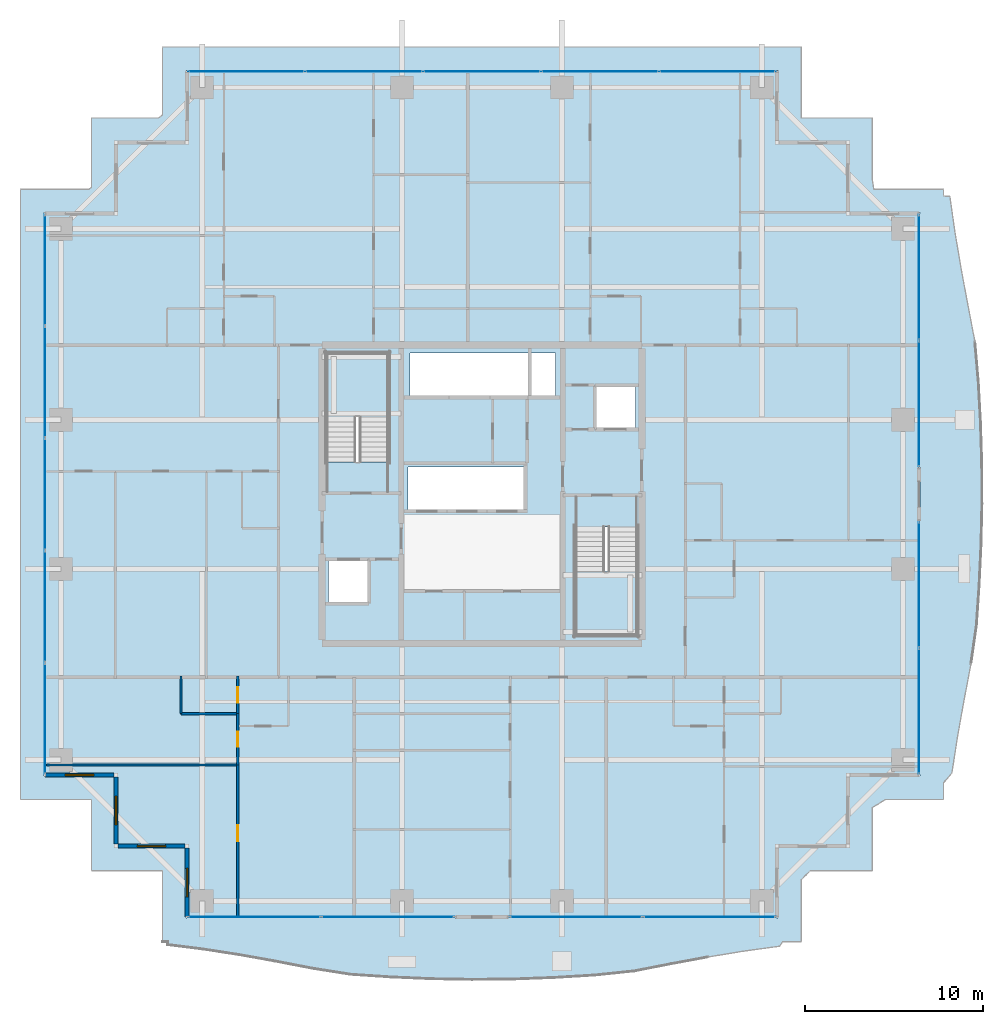
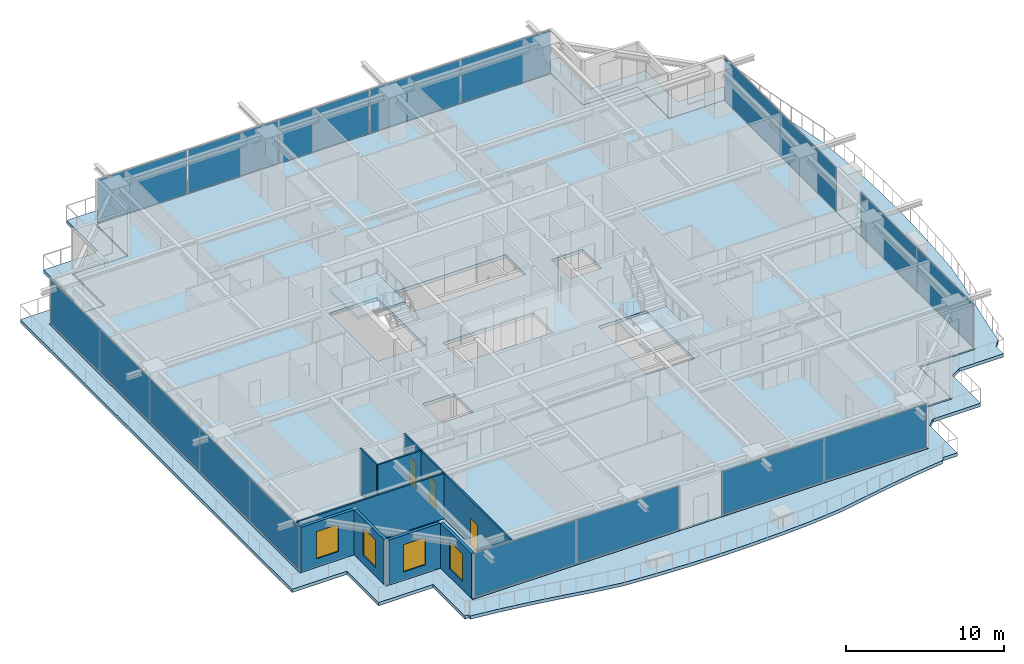
# One storey, part 26 of 37: 18 plates, 10 walls, 4 slabs, 4 windows, 3 doors, 7 openings, 8 elements without a shape of their own.
"""IFC4 building model written with IfcOpenShell, lengths in metres."""

from ifc_helpers import new_model, si_unit, direction, frame, frame_2d, origin, origin_2d, place, context, subcontext, project, spatial, polyline, rectangle, outline, extrude, source, transform, mapped, material, layer, layer_set, type_object, element, fill, aggregate, save


model = new_model("IFC4")

# Units and contexts
model_context = context("Model", 3, precision=1e-05, world=origin(), true_north=direction((0.0, 1.0)))
body_context = subcontext(model_context, "Body", "Model", "MODEL_VIEW")
ifc_project = project(units=[si_unit("LENGTHUNIT", "METRE"), si_unit("AREAUNIT", "SQUARE_METRE"), si_unit("VOLUMEUNIT", "CUBIC_METRE"), si_unit("PLANEANGLEUNIT", "RADIAN"), si_unit("MASSUNIT", "GRAM", prefix="KILO")], contexts=[model_context])

# Site, building, storey
site_placement = place(None, origin())
site = spatial("IfcSite", under=ifc_project, at=site_placement, CompositionType="ELEMENT")
building_placement = place(site_placement, origin())
building = spatial("IfcBuilding", under=site, at=building_placement, Name="Serunith Strait Residences", CompositionType="ELEMENT")
storey_placement = place(building_placement, frame((0.0, 0.0, 161.39990234375)))
storey = spatial("IfcBuildingStorey", under=building, at=storey_placement, Name="L40", CompositionType="ELEMENT", Elevation=161.39990234375)

# Slab
ifc_material_1 = material(Name="Concrete C50/60", Category="concrete")
ifc_layer_1 = layer(ifc_material_1, 0.239990234375, Name="Concrete C50/60")
ifc_layer_set_1 = layer_set([ifc_layer_1], Name="Concrete C50/60")
slab_type_1 = type_object("IfcSlabType", Name="SLB-BALC-240", PredefinedType="FLOOR", material=ifc_layer_set_1)
slab_1_placement = place(storey_placement, frame((0.0, 0.0, -0.289794921875)))
element("IfcSlab", 1, at=slab_1_placement, inside=storey, type_object=slab_type_1, Name="L40 Planted Vertical-Forest Balcony Slab", PredefinedType="FLOOR", context=body_context, shape_type="SweptSolid", body=[
    extrude(outline(polyline([(14.419921875, 0.02001953125), (14.419921875, 4.02001953125), (10.419921875, 4.02001953125), (10.419921875, 8.02001953125), (6.419921875, 8.02001953125), (6.419921875, 42.3798828125), (10.284912109375, 42.3798828125), (10.419921875, 42.47802734375), (10.419921875, 46.3798828125), (14.1982421875, 46.3798828125), (14.419921875, 46.55908203125), (14.419921875, 50.3798828125), (50.3798828125, 50.3798828125), (50.3798828125, 46.3798828125), (54.3798828125, 46.3798828125), (54.3798828125, 42.889892578125), (54.45654296875, 42.3798828125), (58.3798828125, 42.3798828125), (58.3798828125, 41.99365234375), (58.737548828125, 41.973388671875), (59.022705078125, 39.972412109375), (59.362548828125, 37.95068359375), (59.747314453125, 35.890625), (60.152587890625, 33.77392578125), (60.347900390625, 31.543212890625), (60.471923828125, 29.27001953125), (60.54248046875, 26.97314453125), (60.552734375, 24.666015625), (60.501708984375, 22.36328125), (60.394287109375, 20.0791015625), (60.240966796875, 17.82470703125), (59.9267578125, 15.6513671875), (59.527587890625, 13.56591796875), (59.164306640625, 11.527587890625), (58.853271484375, 9.51806640625), (58.3798828125, 8.964111328125), (58.3798828125, 8.02001953125), (55.121826171875, 8.02001953125), (54.3798828125, 7.57666015625), (54.3798828125, 4.02001953125), (50.898193359375, 4.02001953125), (50.3798828125, 3.523681640625), (50.3798828125, 0.02001953125), (49.331787109375, 0.02001953125), (49.1455078125, -0.239013671875), (47.146484375, -0.511962890625), (45.1298828125, -0.843505859375), (43.07763671875, -1.225830078125), (40.9697265625, -1.63720703125), (38.75048828125, -1.869873046875), (36.477294921875, -2.007080078125), (34.177490234375, -2.092041015625), (31.864501953125, -2.11572265625), (29.553955078125, -2.075927734375), (27.26171875, -1.976318359375), (24.999755859375, -1.826904296875), (22.8330078125, -1.4833984375), (20.75048828125, -1.080322265625), (18.7158203125, -0.716552734375), (16.708984375, -0.407958984375), (14.713623046875, -0.157470703125), (14.715087890625, 0.02001953125), (14.419921875, 0.02001953125)]), holes=[polyline([(49.054931640625, 1.344970703125), (49.054931640625, 5.344970703125), (53.054931640625, 5.344970703125), (53.054931640625, 9.344970703125), (57.054931640625, 9.344970703125), (57.054931640625, 41.054931640625), (53.054931640625, 41.054931640625), (53.054931640625, 45.054931640625), (49.054931640625, 45.054931640625), (49.054931640625, 49.054931640625), (15.7451171875, 49.054931640625), (15.7451171875, 45.054931640625), (11.7451171875, 45.054931640625), (11.7451171875, 41.054931640625), (7.7451171875, 41.054931640625), (7.7451171875, 9.344970703125), (11.7451171875, 9.344970703125), (11.7451171875, 5.344970703125), (15.7451171875, 5.344970703125), (15.7451171875, 1.344970703125), (49.054931640625, 1.344970703125)])]), origin(), (0.0, 0.0, 1.0), 0.239990234375),
])

# Stair, slab
stair_type_1 = type_object("IfcStairType", Name="STR-CORE-1", PredefinedType="HALF_TURN_STAIR", material=ifc_material_1)
stair_1_placement = place(storey_placement, origin())
stair_1 = element("IfcStair", 2, at=stair_1_placement, inside=storey, type_object=stair_type_1, Name="L40 Protected Escape Stair ST-1", PredefinedType="HALF_TURN_STAIR")
ifc_layer_2 = layer(ifc_material_1, 0.199951171875, Name="Concrete C50/60")
ifc_layer_set_2 = layer_set([ifc_layer_2], Name="Concrete C50/60")
slab_type_2 = type_object("IfcSlabType", Name="SLB-LAND-200", PredefinedType="LANDING", material=ifc_layer_set_2)
slab_2_placement = place(storey_placement, frame((0.0, 0.0, 1.675048828125)))
slab_2 = element("IfcSlab", 3, at=slab_2_placement, type_object=slab_type_2, Name="ST-1 landing 1", PredefinedType="LANDING", context=body_context, shape_type="SweptSolid", body=[
    extrude(outline(polyline([(27.14990234375, 29.550048828125), (27.14990234375, 33.14990234375), (23.64990234375, 33.14990234375), (23.64990234375, 29.550048828125), (27.14990234375, 29.550048828125)])), origin(), (0.0, 0.0, 1.0), 0.199951171875),
])
aggregate(stair_1, [slab_2])

stair_type_2 = type_object("IfcStairType", Name="STR-CORE-2", PredefinedType="HALF_TURN_STAIR", material=ifc_material_1)
stair_2_placement = place(storey_placement, origin())
stair_2 = element("IfcStair", 4, at=stair_2_placement, inside=storey, type_object=stair_type_2, Name="L40 Protected Escape Stair ST-2", PredefinedType="HALF_TURN_STAIR")
slab_3_placement = place(storey_placement, frame((0.0, 0.0, 1.675048828125)))
slab_3 = element("IfcSlab", 5, at=slab_3_placement, type_object=slab_type_2, Name="ST-2 landing 1", PredefinedType="LANDING", context=body_context, shape_type="SweptSolid", body=[
    extrude(outline(polyline([(37.64990234375, 20.85009765625), (37.64990234375, 17.25), (41.14990234375, 17.25), (41.14990234375, 20.85009765625), (37.64990234375, 20.85009765625)])), origin(), (0.0, 0.0, 1.0), 0.199951171875),
])
aggregate(stair_2, [slab_3])

# Slab
ifc_material_2 = material(Name="Concrete C60/75", Category="concrete")
ifc_layer_3 = layer(ifc_material_2, 0.260009765625, Name="Concrete C60/75")
ifc_layer_set_3 = layer_set([ifc_layer_3], Name="Concrete C60/75")
slab_type_3 = type_object("IfcSlabType", Name="SLB-TWR-260-Z2", PredefinedType="FLOOR", material=ifc_layer_set_3)
slab_4_placement = place(storey_placement, frame((0.0, 0.0, -0.260009765625)))
element("IfcSlab", 6, at=slab_4_placement, inside=storey, type_object=slab_type_3, Name="L40 Structural Floor Plate", PredefinedType="FLOOR", context=body_context, shape_type="SweptSolid", body=[
    extrude(outline(polyline([(15.800048828125, 5.39990234375), (11.800048828125, 5.39990234375), (11.800048828125, 9.39990234375), (7.800048828125, 9.39990234375), (7.800048828125, 41.0), (11.800048828125, 41.0), (11.800048828125, 45.0), (15.800048828125, 45.0), (15.800048828125, 49.0), (49.0, 49.0), (49.0, 45.0), (53.0, 45.0), (53.0, 41.0), (57.0, 41.0), (57.0, 9.39990234375), (53.0, 9.39990234375), (53.0, 5.39990234375), (49.0, 5.39990234375), (49.0, 1.39990234375), (15.800048828125, 1.39990234375), (15.800048828125, 5.39990234375)]), holes=[polyline([(41.14990234375, 23.3701171875), (37.64990234375, 23.3701171875), (37.64990234375, 17.25), (41.14990234375, 17.25), (41.14990234375, 23.3701171875)]), polyline([(38.75, 31.25), (38.75, 28.85009765625), (41.050048828125, 28.85009765625), (41.050048828125, 31.25), (38.75, 31.25)]), polyline([(36.550048828125, 33.14990234375), (28.35009765625, 33.14990234375), (28.35009765625, 30.64990234375), (36.550048828125, 30.64990234375), (36.550048828125, 33.14990234375)]), polyline([(34.85009765625, 26.75), (28.25, 26.75), (28.25, 24.25), (34.85009765625, 24.25), (34.85009765625, 26.75)]), polyline([(23.64990234375, 33.14990234375), (23.64990234375, 27.030029296875), (27.14990234375, 27.030029296875), (27.14990234375, 33.14990234375), (23.64990234375, 33.14990234375)]), polyline([(26.050048828125, 21.550048828125), (23.75, 21.550048828125), (23.75, 19.14990234375), (26.050048828125, 19.14990234375), (26.050048828125, 21.550048828125)])]), origin(), (0.0, 0.0, 1.0), 0.260009765625),
])

# Curtain wall, plates
ifc_material_3 = material(Name="Pale-Champagne Anodised Aluminium", Category="aluminium")
ifc_layer_4 = layer(ifc_material_3, 0.199951171875, Name="Pale-Champagne Anodised Aluminium")
ifc_layer_set_4 = layer_set([ifc_layer_4], Name="Pale-Champagne Anodised Aluminium")
curtain_wall_type = type_object("IfcCurtainWallType", Name="CW-SYS2", PredefinedType="NOTDEFINED", material=ifc_layer_set_4)
curtain_wall_1_placement = place(storey_placement, origin())
curtain_wall_1 = element("IfcCurtainWall", 7, at=curtain_wall_1_placement, inside=storey, type_object=curtain_wall_type, Name="L40 N Unitised Fritted Curtain Wall", PredefinedType="NOTDEFINED")
ifc_material_4 = material(Name="Diagonal-Frit Operable Low-E Glazing 30mm", Category="glass")
ifc_layer_5 = layer(ifc_material_4, 0.030029296875, Name="Diagonal-Frit Operable Low-E Glazing 30mm")
ifc_layer_set_5 = layer_set([ifc_layer_5], Name="Diagonal-Frit Operable Low-E Glazing 30mm")
plate_type = type_object("IfcPlateType", Name="CW-SYS2-PNL", PredefinedType="CURTAIN_PANEL", material=ifc_layer_set_5)
shared_shape_1 = source(origin(), body_context, "Body", "SweptSolid", [
    extrude(rectangle(XDim=6.534912109375, YDim=0.030029296875, at=origin_2d()), origin(), (0.0, 0.0, 1.0), 3.35498046875),
])
plate_1_placement = place(storey_placement, frame((45.66259765625, 49.0, 0.06005859375), z_axis=(0.0, 0.0, 1.0), x_axis=(-1.0, 0.0, 0.0)))
plate_1 = element("IfcPlate", 8, at=plate_1_placement, type_object=plate_type, Name="CW-2 panel 1.1", PredefinedType="CURTAIN_PANEL", context=body_context, shape_type="MappedRepresentation", body=[
    mapped(shared_shape_1, transform((0.0, 0.0, 0.0), scale=1.0)),
])
plate_2_placement = place(storey_placement, frame((19.137451171875, 49.0, 0.06005859375), z_axis=(0.0, 0.0, 1.0), x_axis=(-1.0, 0.0, 0.0)))
plate_2 = element("IfcPlate", 9, at=plate_2_placement, type_object=plate_type, Name="CW-2 panel 5.1", PredefinedType="CURTAIN_PANEL", context=body_context, shape_type="MappedRepresentation", body=[
    mapped(shared_shape_1, transform((0.0, 0.0, 0.0), scale=1.0)),
])
shared_shape_2 = source(origin(), body_context, "Body", "SweptSolid", [
    extrude(rectangle(XDim=6.570068359375, YDim=0.030029296875, at=origin_2d()), origin(), (0.0, 0.0, 1.0), 3.35498046875),
])
plate_3_placement = place(storey_placement, frame((39.0400390625, 49.0, 0.06005859375), z_axis=(0.0, 0.0, 1.0), x_axis=(-1.0, 0.0, 0.0)))
plate_3 = element("IfcPlate", 10, at=plate_3_placement, type_object=plate_type, Name="CW-2 panel 2.1", PredefinedType="CURTAIN_PANEL", context=body_context, shape_type="MappedRepresentation", body=[
    mapped(shared_shape_2, transform((0.0, 0.0, 0.0), scale=1.0)),
])
plate_4_placement = place(storey_placement, frame((32.39990234375, 49.0, 0.06005859375), z_axis=(0.0, 0.0, 1.0), x_axis=(-1.0, 0.0, 0.0)))
plate_4 = element("IfcPlate", 11, at=plate_4_placement, type_object=plate_type, Name="CW-2 panel 3.1", PredefinedType="CURTAIN_PANEL", context=body_context, shape_type="MappedRepresentation", body=[
    mapped(shared_shape_2, transform((0.0, 0.0, 0.0), scale=1.0)),
])
plate_5_placement = place(storey_placement, frame((25.760009765625, 49.0, 0.06005859375), z_axis=(0.0, 0.0, 1.0), x_axis=(-1.0, 0.0, 0.0)))
plate_5 = element("IfcPlate", 12, at=plate_5_placement, type_object=plate_type, Name="CW-2 panel 4.1", PredefinedType="CURTAIN_PANEL", context=body_context, shape_type="MappedRepresentation", body=[
    mapped(shared_shape_2, transform((0.0, 0.0, 0.0), scale=1.0)),
])
aggregate(curtain_wall_1, [plate_1, plate_3, plate_4, plate_5, plate_2])

curtain_wall_2_placement = place(storey_placement, origin())
curtain_wall_2 = element("IfcCurtainWall", 13, at=curtain_wall_2_placement, inside=storey, type_object=curtain_wall_type, Name="L40 W Unitised Fritted Curtain Wall", PredefinedType="NOTDEFINED")
shared_shape_3 = source(origin(), body_context, "Body", "SweptSolid", [
    extrude(rectangle(XDim=6.215087890625, YDim=0.030029296875, at=origin_2d()), origin(), (0.0, 0.0, 1.0), 3.35498046875),
])
plate_6_placement = place(storey_placement, frame((7.800048828125, 37.822509765625, 0.06005859375), z_axis=(0.0, 0.0, 1.0), x_axis=(0.0, -1.0, 0.0)))
plate_6 = element("IfcPlate", 14, at=plate_6_placement, type_object=plate_type, Name="CW-2 panel 1.1", PredefinedType="CURTAIN_PANEL", context=body_context, shape_type="MappedRepresentation", body=[
    mapped(shared_shape_3, transform((0.0, 0.0, 0.0), scale=1.0)),
])
plate_7_placement = place(storey_placement, frame((7.800048828125, 12.577392578125, 0.06005859375), z_axis=(0.0, 0.0, 1.0), x_axis=(0.0, -1.0, 0.0)))
plate_7 = element("IfcPlate", 15, at=plate_7_placement, type_object=plate_type, Name="CW-2 panel 5.1", PredefinedType="CURTAIN_PANEL", context=body_context, shape_type="MappedRepresentation", body=[
    mapped(shared_shape_3, transform((0.0, 0.0, 0.0), scale=1.0)),
])
shared_shape_4 = source(origin(), body_context, "Body", "SweptSolid", [
    extrude(rectangle(XDim=6.25, YDim=0.030029296875, at=origin_2d()), origin(), (0.0, 0.0, 1.0), 3.35498046875),
])
plate_8_placement = place(storey_placement, frame((7.800048828125, 31.52001953125, 0.06005859375), z_axis=(0.0, 0.0, 1.0), x_axis=(0.0, -1.0, 0.0)))
plate_8 = element("IfcPlate", 16, at=plate_8_placement, type_object=plate_type, Name="CW-2 panel 2.1", PredefinedType="CURTAIN_PANEL", context=body_context, shape_type="MappedRepresentation", body=[
    mapped(shared_shape_4, transform((0.0, 0.0, 0.0), scale=1.0)),
])
plate_9_placement = place(storey_placement, frame((7.800048828125, 25.199951171875, 0.06005859375), z_axis=(0.0, 0.0, 1.0), x_axis=(0.0, -1.0, 0.0)))
plate_9 = element("IfcPlate", 17, at=plate_9_placement, type_object=plate_type, Name="CW-2 panel 3.1", PredefinedType="CURTAIN_PANEL", context=body_context, shape_type="MappedRepresentation", body=[
    mapped(shared_shape_4, transform((0.0, 0.0, 0.0), scale=1.0)),
])
plate_10_placement = place(storey_placement, frame((7.800048828125, 18.8798828125, 0.06005859375), z_axis=(0.0, 0.0, 1.0), x_axis=(0.0, -1.0, 0.0)))
plate_10 = element("IfcPlate", 18, at=plate_10_placement, type_object=plate_type, Name="CW-2 panel 4.1", PredefinedType="CURTAIN_PANEL", context=body_context, shape_type="MappedRepresentation", body=[
    mapped(shared_shape_4, transform((0.0, 0.0, 0.0), scale=1.0)),
])
aggregate(curtain_wall_2, [plate_6, plate_8, plate_9, plate_10, plate_7])

curtain_wall_3_placement = place(storey_placement, origin())
curtain_wall_3 = element("IfcCurtainWall", 19, at=curtain_wall_3_placement, inside=storey, type_object=curtain_wall_type, Name="L40 S Unitised Fritted Curtain Wall", PredefinedType="NOTDEFINED")
shared_shape_5 = source(origin(), body_context, "Body", "SweptSolid", [
    extrude(rectangle(XDim=7.445068359375, YDim=0.030029296875, at=origin_2d()), origin(), (0.0, 0.0, 1.0), 3.35498046875),
])
plate_11_placement = place(storey_placement, frame((19.592529296875, 1.39990234375, 0.06005859375), z_axis=(0.0, 0.0, 1.0), x_axis=(1.0, 0.0, 0.0)))
plate_11 = element("IfcPlate", 20, at=plate_11_placement, type_object=plate_type, Name="CW-2 panel 1.1", PredefinedType="CURTAIN_PANEL", context=body_context, shape_type="MappedRepresentation", body=[
    mapped(shared_shape_5, transform((0.0, 0.0, 0.0), scale=1.0)),
])
plate_12_placement = place(storey_placement, frame((27.107421875, 1.39990234375, 0.06005859375), z_axis=(0.0, 0.0, 1.0), x_axis=(1.0, 0.0, 0.0)))
plate_12 = element("IfcPlate", 21, at=plate_12_placement, type_object=plate_type, Name="CW-2 panel 2.1", PredefinedType="CURTAIN_PANEL", context=body_context, shape_type="MappedRepresentation", body=[
    mapped(shared_shape_5, transform((0.0, 0.0, 0.0), scale=1.0)),
])
aggregate(curtain_wall_3, [plate_11, plate_12])

curtain_wall_4_placement = place(storey_placement, origin())
curtain_wall_4 = element("IfcCurtainWall", 22, at=curtain_wall_4_placement, inside=storey, type_object=curtain_wall_type, Name="L40 S Unitised Fritted Curtain Wall", PredefinedType="NOTDEFINED")
plate_13_placement = place(storey_placement, frame((37.6923828125, 1.39990234375, 0.06005859375), z_axis=(0.0, 0.0, 1.0), x_axis=(1.0, 0.0, 0.0)))
plate_13 = element("IfcPlate", 23, at=plate_13_placement, type_object=plate_type, Name="CW-2 panel 1.1", PredefinedType="CURTAIN_PANEL", context=body_context, shape_type="MappedRepresentation", body=[
    mapped(shared_shape_5, transform((0.0, 0.0, 0.0), scale=1.0)),
])
plate_14_placement = place(storey_placement, frame((45.20751953125, 1.39990234375, 0.06005859375), z_axis=(0.0, 0.0, 1.0), x_axis=(1.0, 0.0, 0.0)))
plate_14 = element("IfcPlate", 24, at=plate_14_placement, type_object=plate_type, Name="CW-2 panel 2.1", PredefinedType="CURTAIN_PANEL", context=body_context, shape_type="MappedRepresentation", body=[
    mapped(shared_shape_5, transform((0.0, 0.0, 0.0), scale=1.0)),
])
aggregate(curtain_wall_4, [plate_13, plate_14])

curtain_wall_5_placement = place(storey_placement, origin())
curtain_wall_5 = element("IfcCurtainWall", 25, at=curtain_wall_5_placement, inside=storey, type_object=curtain_wall_type, Name="L40 E Unitised Fritted Curtain Wall", PredefinedType="NOTDEFINED")
shared_shape_6 = source(origin(), body_context, "Body", "SweptSolid", [
    extrude(rectangle(XDim=7.044921875, YDim=0.030029296875, at=origin_2d()), origin(), (0.0, 0.0, 1.0), 3.35498046875),
])
plate_15_placement = place(storey_placement, frame((57.0, 12.992431640625, 0.06005859375), z_axis=(0.0, 0.0, 1.0), x_axis=(0.0, 1.0, 0.0)))
plate_15 = element("IfcPlate", 26, at=plate_15_placement, type_object=plate_type, Name="CW-2 panel 1.1", PredefinedType="CURTAIN_PANEL", context=body_context, shape_type="MappedRepresentation", body=[
    mapped(shared_shape_6, transform((0.0, 0.0, 0.0), scale=1.0)),
])
plate_16_placement = place(storey_placement, frame((57.0, 20.107421875, 0.06005859375), z_axis=(0.0, 0.0, 1.0), x_axis=(0.0, 1.0, 0.0)))
plate_16 = element("IfcPlate", 27, at=plate_16_placement, type_object=plate_type, Name="CW-2 panel 2.1", PredefinedType="CURTAIN_PANEL", context=body_context, shape_type="MappedRepresentation", body=[
    mapped(shared_shape_6, transform((0.0, 0.0, 0.0), scale=1.0)),
])
aggregate(curtain_wall_5, [plate_15, plate_16])

curtain_wall_6_placement = place(storey_placement, origin())
curtain_wall_6 = element("IfcCurtainWall", 28, at=curtain_wall_6_placement, inside=storey, type_object=curtain_wall_type, Name="L40 E Unitised Fritted Curtain Wall", PredefinedType="NOTDEFINED")
plate_17_placement = place(storey_placement, frame((57.0, 30.29248046875, 0.06005859375), z_axis=(0.0, 0.0, 1.0), x_axis=(0.0, 1.0, 0.0)))
plate_17 = element("IfcPlate", 29, at=plate_17_placement, type_object=plate_type, Name="CW-2 panel 1.1", PredefinedType="CURTAIN_PANEL", context=body_context, shape_type="MappedRepresentation", body=[
    mapped(shared_shape_6, transform((0.0, 0.0, 0.0), scale=1.0)),
])
plate_18_placement = place(storey_placement, frame((57.0, 37.407470703125, 0.06005859375), z_axis=(0.0, 0.0, 1.0), x_axis=(0.0, 1.0, 0.0)))
plate_18 = element("IfcPlate", 30, at=plate_18_placement, type_object=plate_type, Name="CW-2 panel 2.1", PredefinedType="CURTAIN_PANEL", context=body_context, shape_type="MappedRepresentation", body=[
    mapped(shared_shape_6, transform((0.0, 0.0, 0.0), scale=1.0)),
])
aggregate(curtain_wall_6, [plate_17, plate_18])

# Wall, opening, window
ifc_material_5 = material(Name="Pale-Champagne Aluminium Insulated Panel", Category="aluminium")
ifc_layer_6 = layer(ifc_material_5, 0.219970703125, Name="Pale-Champagne Aluminium Insulated Panel")
ifc_layer_set_6 = layer_set([ifc_layer_6], Name="Pale-Champagne Aluminium Insulated Panel")
wall_type_1 = type_object("IfcWallType", Name="EW-ALUM-220", PredefinedType="ELEMENTEDWALL", material=ifc_layer_set_6)
wall_1_placement = place(storey_placement, frame((7.800048828125, 9.39990234375, 0.0), z_axis=(0.0, 0.0, 1.0), x_axis=(1.0, 0.0, 0.0)))
wall_1 = element("IfcWall", 31, at=wall_1_placement, inside=storey, type_object=wall_type_1, Name="L40 Girih Serrated Corner Wall 17", PredefinedType="ELEMENTEDWALL", context=body_context, shape_type="SweptSolid", body=[
    extrude(rectangle(XDim=3.889892578125, YDim=0.219970703125, at=frame_2d((1.94482421875, 0.0))), origin(), (0.0, 0.0, 1.0), 3.47509765625),
])
opening_1_placement = place(wall_1_placement, frame((1.14501953125, 0.0, 0.64990234375)))
opening_1 = element("IfcOpeningElement", 32, at=opening_1_placement, cuts=wall_1, Name="Opening W-02", PredefinedType="OPENING", context=body_context, shape_type="SweptSolid", body=[
    extrude(rectangle(XDim=1.60009765625, YDim=2.10009765625, at=frame_2d((0.800048828125, 1.050048828125))), frame((0.0, 0.1201171875, 0.0), z_axis=(0.0, -1.0, 0.0), x_axis=(1.0, 0.0, 0.0)), (0.0, 0.0, 1.0), 0.239990234375),
])
ifc_material_6 = material(Name="Ceramic-Fritted Operable Aluminium Window Glass", Category="aluminium")
window_type = type_object("IfcWindowType", Name="WIN-C2", PartitioningType="DOUBLE_PANEL_VERTICAL", PredefinedType="WINDOW", material=ifc_material_6)
shared_shape_7 = source(origin(), body_context, "Body", "SweptSolid", [
    extrude(rectangle(XDim=1.60009765625, YDim=2.10009765625, at=frame_2d((0.800048828125, 1.050048828125))), frame((0.0, 0.030029296875, 0.0), z_axis=(0.0, -1.0, 0.0), x_axis=(1.0, 0.0, 0.0)), (0.0, 0.0, 1.0), 0.06005859375),
])
window_1_placement = place(opening_1_placement, origin())
window_1 = element("IfcWindow", 33, at=window_1_placement, inside=storey, type_object=window_type, Name="L40 Corner Operable Fritted Window 17", OverallHeight=2.10009765625, OverallWidth=1.60009765625, PartitioningType="SINGLE_PANEL", PredefinedType="WINDOW", context=body_context, shape_type="MappedRepresentation", body=[
    mapped(shared_shape_7, transform((0.0, 0.0, 0.0), scale=1.0)),
])
fill(opening_1, window_1)

wall_2_placement = place(storey_placement, frame((11.800048828125, 9.2900390625, 0.0), z_axis=(0.0, 0.0, 1.0), x_axis=(0.0, -1.0, 0.0)))
wall_2 = element("IfcWall", 34, at=wall_2_placement, inside=storey, type_object=wall_type_1, Name="L40 Girih Serrated Corner Wall 18", PredefinedType="ELEMENTEDWALL", context=body_context, shape_type="SweptSolid", body=[
    extrude(rectangle(XDim=3.780029296875, YDim=0.219970703125, at=frame_2d((1.89013671875, 0.0))), origin(), (0.0, 0.0, 1.0), 3.47509765625),
])
opening_2_placement = place(wall_2_placement, frame((1.090087890625, 0.0, 0.64990234375)))
opening_2 = element("IfcOpeningElement", 35, at=opening_2_placement, cuts=wall_2, Name="Opening W-02", PredefinedType="OPENING", context=body_context, shape_type="SweptSolid", body=[
    extrude(rectangle(XDim=1.60009765625, YDim=2.10009765625, at=frame_2d((0.800048828125, 1.050048828125))), frame((0.0, 0.1201171875, 0.0), z_axis=(0.0, -1.0, 0.0), x_axis=(1.0, 0.0, 0.0)), (0.0, 0.0, 1.0), 0.239990234375),
])
window_2_placement = place(opening_2_placement, origin())
window_2 = element("IfcWindow", 36, at=window_2_placement, inside=storey, type_object=window_type, Name="L40 Corner Operable Fritted Window 18", OverallHeight=2.10009765625, OverallWidth=1.60009765625, PartitioningType="SINGLE_PANEL", PredefinedType="WINDOW", context=body_context, shape_type="MappedRepresentation", body=[
    mapped(shared_shape_7, transform((0.0, 0.0, 0.0), scale=1.0)),
])
fill(opening_2, window_2)

wall_3_placement = place(storey_placement, frame((11.909912109375, 5.39990234375, 0.0), z_axis=(0.0, 0.0, 1.0), x_axis=(1.0, 0.0, 0.0)))
wall_3 = element("IfcWall", 37, at=wall_3_placement, inside=storey, type_object=wall_type_1, Name="L40 Girih Serrated Corner Wall 19", PredefinedType="ELEMENTEDWALL", context=body_context, shape_type="SweptSolid", body=[
    extrude(rectangle(XDim=3.780029296875, YDim=0.219970703125, at=frame_2d((1.89013671875, 0.0))), origin(), (0.0, 0.0, 1.0), 3.47509765625),
])
opening_3_placement = place(wall_3_placement, frame((1.090087890625, 0.0, 0.64990234375)))
opening_3 = element("IfcOpeningElement", 38, at=opening_3_placement, cuts=wall_3, Name="Opening W-02", PredefinedType="OPENING", context=body_context, shape_type="SweptSolid", body=[
    extrude(rectangle(XDim=1.60009765625, YDim=2.10009765625, at=frame_2d((0.800048828125, 1.050048828125))), frame((0.0, 0.1201171875, 0.0), z_axis=(0.0, -1.0, 0.0), x_axis=(1.0, 0.0, 0.0)), (0.0, 0.0, 1.0), 0.239990234375),
])
window_3_placement = place(opening_3_placement, origin())
window_3 = element("IfcWindow", 39, at=window_3_placement, inside=storey, type_object=window_type, Name="L40 Corner Operable Fritted Window 19", OverallHeight=2.10009765625, OverallWidth=1.60009765625, PartitioningType="SINGLE_PANEL", PredefinedType="WINDOW", context=body_context, shape_type="MappedRepresentation", body=[
    mapped(shared_shape_7, transform((0.0, 0.0, 0.0), scale=1.0)),
])
fill(opening_3, window_3)

wall_4_placement = place(storey_placement, frame((15.800048828125, 5.2900390625, 0.0), z_axis=(0.0, 0.0, 1.0), x_axis=(0.0, -1.0, 0.0)))
wall_4 = element("IfcWall", 40, at=wall_4_placement, inside=storey, type_object=wall_type_1, Name="L40 Girih Serrated Corner Wall 20", PredefinedType="ELEMENTEDWALL", context=body_context, shape_type="SweptSolid", body=[
    extrude(rectangle(XDim=3.89013671875, YDim=0.219970703125, at=frame_2d((1.945068359375, 0.0))), origin(), (0.0, 0.0, 1.0), 3.47509765625),
])
opening_4_placement = place(wall_4_placement, frame((1.14501953125, 0.0, 0.64990234375)))
opening_4 = element("IfcOpeningElement", 41, at=opening_4_placement, cuts=wall_4, Name="Opening W-02", PredefinedType="OPENING", context=body_context, shape_type="SweptSolid", body=[
    extrude(rectangle(XDim=1.60009765625, YDim=2.10009765625, at=frame_2d((0.800048828125, 1.050048828125))), frame((0.0, 0.1201171875, 0.0), z_axis=(0.0, -1.0, 0.0), x_axis=(1.0, 0.0, 0.0)), (0.0, 0.0, 1.0), 0.239990234375),
])
window_4_placement = place(opening_4_placement, origin())
window_4 = element("IfcWindow", 42, at=window_4_placement, inside=storey, type_object=window_type, Name="L40 Corner Operable Fritted Window 20", OverallHeight=2.10009765625, OverallWidth=1.60009765625, PartitioningType="SINGLE_PANEL", PredefinedType="WINDOW", context=body_context, shape_type="MappedRepresentation", body=[
    mapped(shared_shape_7, transform((0.0, 0.0, 0.0), scale=1.0)),
])
fill(opening_4, window_4)

# Wall, opening, door
ifc_material_7 = material(Name="Lightweight steel-stud gypsum partition", Category="steel")
ifc_layer_7 = layer(ifc_material_7, 0.1201171875, Name="Lightweight steel-stud gypsum partition")
ifc_layer_set_7 = layer_set([ifc_layer_7], Name="Lightweight steel-stud gypsum partition")
wall_type_2 = type_object("IfcWallType", Name="IW-PART-120", PredefinedType="PARTITIONING", material=ifc_layer_set_7)
wall_5_placement = place(storey_placement, frame((18.64990234375, 1.4951171875, 0.0), z_axis=(0.0, 0.0, 1.0), x_axis=(0.0, 1.0, 0.0)))
wall_5 = element("IfcWall", 43, at=wall_5_placement, inside=storey, type_object=wall_type_2, Name="L40 Partition Wall 032", PredefinedType="PARTITIONING", context=body_context, shape_type="SweptSolid", body=[
    extrude(rectangle(XDim=8.468994140625, YDim=0.1201171875, at=frame_2d((4.234375, 0.0))), origin(), (0.0, 0.0, 1.0), 3.489990234375),
])
opening_5_placement = place(wall_5_placement, frame((4.1630859375, 0.0, 0.0)))
opening_5 = element("IfcOpeningElement", 44, at=opening_5_placement, cuts=wall_5, Name="Opening D-RM900", PredefinedType="OPENING", context=body_context, shape_type="SweptSolid", body=[
    extrude(rectangle(XDim=0.89990234375, YDim=2.10009765625, at=frame_2d((0.449951171875, 1.050048828125))), frame((0.0, 0.070068359375, 0.0), z_axis=(0.0, -1.0, 0.0), x_axis=(1.0, 0.0, 0.0)), (0.0, 0.0, 1.0), 0.14013671875),
])
ifc_material_8 = material(Name="Engineered timber flush bedroom door", Category="wood")
door_type_1 = type_object("IfcDoorType", Name="ID-ROOM-900", OperationType="NOTDEFINED", PredefinedType="DOOR", material=ifc_material_8)
shared_shape_8 = source(origin(), body_context, "Body", "SweptSolid", [
    extrude(rectangle(XDim=0.89990234375, YDim=2.10009765625, at=frame_2d((0.449951171875, 1.050048828125))), frame((0.0, 0.02490234375, 0.0), z_axis=(0.0, -1.0, 0.0), x_axis=(1.0, 0.0, 0.0)), (0.0, 0.0, 1.0), 0.050048828125),
])
door_1_placement = place(opening_5_placement, origin())
door_1 = element("IfcDoor", 45, at=door_1_placement, inside=storey, type_object=door_type_1, Name="L40 Master Bedroom 1 4001 Door", OperationType="SINGLE_SWING_RIGHT", OverallHeight=2.10009765625, OverallWidth=0.89990234375, PredefinedType="DOOR", context=body_context, shape_type="MappedRepresentation", body=[
    mapped(shared_shape_8, transform((0.0, 0.0, 0.0), scale=1.0)),
])
fill(opening_5, door_1)

# Walls
wall_6_placement = place(storey_placement, frame((7.89501953125, 9.964111328125, 0.0), z_axis=(0.0, 0.0, 1.0), x_axis=(1.0, 0.0, 0.0)))
element("IfcWall", 46, at=wall_6_placement, inside=storey, type_object=wall_type_2, Name="L40 Partition Wall 033", PredefinedType="PARTITIONING", context=body_context, shape_type="SweptSolid", body=[
    extrude(rectangle(XDim=10.7548828125, YDim=0.1201171875, at=frame_2d((5.37744140625, 0.0))), origin(), (0.0, 0.0, 1.0), 3.489990234375),
])
wall_7_placement = place(storey_placement, frame((15.449951171875, 12.85009765625, 0.0), z_axis=(0.0, 0.0, 1.0), x_axis=(1.0, 0.0, 0.0)))
element("IfcWall", 47, at=wall_7_placement, inside=storey, type_object=wall_type_2, Name="L40 Partition Wall 034", PredefinedType="PARTITIONING", context=body_context, shape_type="SweptSolid", body=[
    extrude(rectangle(XDim=3.199951171875, YDim=0.1201171875, at=frame_2d((1.60009765625, 0.0))), origin(), (0.0, 0.0, 1.0), 3.489990234375),
])
wall_8_placement = place(storey_placement, frame((15.449951171875, 12.85009765625, 0.0), z_axis=(0.0, 0.0, 1.0), x_axis=(0.0, 1.0, 0.0)))
element("IfcWall", 48, at=wall_8_placement, inside=storey, type_object=wall_type_2, Name="L40 Partition Wall 035", PredefinedType="PARTITIONING", context=body_context, shape_type="SweptSolid", body=[
    extrude(rectangle(XDim=2.10986328125, YDim=0.1201171875, at=frame_2d((1.054931640625, 0.0))), origin(), (0.0, 0.0, 1.0), 3.489990234375),
])

# Wall, opening, door
wall_9_placement = place(storey_placement, frame((18.64990234375, 9.966064453125, 0.0), z_axis=(0.0, 0.0, 1.0), x_axis=(0.0, 1.0, 0.0)))
wall_9 = element("IfcWall", 49, at=wall_9_placement, inside=storey, type_object=wall_type_2, Name="L40 Partition Wall 036", PredefinedType="PARTITIONING", context=body_context, shape_type="SweptSolid", body=[
    extrude(rectangle(XDim=2.884033203125, YDim=0.1201171875, at=frame_2d((1.44189453125, 0.0))), origin(), (0.0, 0.0, 1.0), 3.489990234375),
])
opening_6_placement = place(wall_9_placement, frame((1.01708984375, 0.0, 0.0)))
opening_6 = element("IfcOpeningElement", 50, at=opening_6_placement, cuts=wall_9, Name="Opening D-RM850", PredefinedType="OPENING", context=body_context, shape_type="SweptSolid", body=[
    extrude(rectangle(XDim=0.85009765625, YDim=2.10009765625, at=frame_2d((0.425048828125, 1.050048828125))), frame((0.0, 0.070068359375, 0.0), z_axis=(0.0, -1.0, 0.0), x_axis=(1.0, 0.0, 0.0)), (0.0, 0.0, 1.0), 0.14013671875),
])
ifc_material_9 = material(Name="Engineered timber flush study and kitchen door", Category="wood")
door_type_2 = type_object("IfcDoorType", Name="ID-ROOM-850", OperationType="NOTDEFINED", PredefinedType="DOOR", material=ifc_material_9)
shared_shape_9 = source(origin(), body_context, "Body", "SweptSolid", [
    extrude(rectangle(XDim=0.85009765625, YDim=2.10009765625, at=frame_2d((0.425048828125, 1.050048828125))), frame((0.0, 0.02490234375, 0.0), z_axis=(0.0, -1.0, 0.0), x_axis=(1.0, 0.0, 0.0)), (0.0, 0.0, 1.0), 0.050048828125),
])
door_2_placement = place(opening_6_placement, origin())
door_2 = element("IfcDoor", 51, at=door_2_placement, inside=storey, type_object=door_type_2, Name="L40 Walk-in Wardrobe 4001 Door", OperationType="SINGLE_SWING_LEFT", OverallHeight=2.10009765625, OverallWidth=0.85009765625, PredefinedType="DOOR", context=body_context, shape_type="MappedRepresentation", body=[
    mapped(shared_shape_9, transform((0.0, 0.0, 0.0), scale=1.0)),
])
fill(opening_6, door_2)

wall_10_placement = place(storey_placement, frame((18.64990234375, 12.85205078125, 0.0), z_axis=(0.0, 0.0, 1.0), x_axis=(0.0, 1.0, 0.0)))
wall_10 = element("IfcWall", 52, at=wall_10_placement, inside=storey, type_object=wall_type_2, Name="L40 Partition Wall 037", PredefinedType="PARTITIONING", context=body_context, shape_type="SweptSolid", body=[
    extrude(rectangle(XDim=2.10791015625, YDim=0.1201171875, at=frame_2d((1.053955078125, 0.0))), origin(), (0.0, 0.0, 1.0), 3.489990234375),
])
opening_7_placement = place(wall_10_placement, frame((0.62890625, 0.0, 0.0)))
opening_7 = element("IfcOpeningElement", 53, at=opening_7_placement, cuts=wall_10, Name="Opening D-BTH850", PredefinedType="OPENING", context=body_context, shape_type="SweptSolid", body=[
    extrude(rectangle(XDim=0.85009765625, YDim=2.10009765625, at=frame_2d((0.425048828125, 1.050048828125))), frame((0.0, 0.070068359375, 0.0), z_axis=(0.0, -1.0, 0.0), x_axis=(1.0, 0.0, 0.0)), (0.0, 0.0, 1.0), 0.14013671875),
])
ifc_material_10 = material(Name="Moisture-resistant timber bathroom door", Category="wood")
door_type_3 = type_object("IfcDoorType", Name="ID-BATH-850", OperationType="NOTDEFINED", PredefinedType="DOOR", material=ifc_material_10)
door_3_placement = place(opening_7_placement, origin())
door_3 = element("IfcDoor", 54, at=door_3_placement, inside=storey, type_object=door_type_3, Name="L40 Bathroom 4001 Door", OperationType="SINGLE_SWING_RIGHT", OverallHeight=2.10009765625, OverallWidth=0.85009765625, PredefinedType="DOOR", context=body_context, shape_type="MappedRepresentation", body=[
    mapped(shared_shape_9, transform((0.0, 0.0, 0.0), scale=1.0)),
])
fill(opening_7, door_3)

save(model, "model.ifc")
